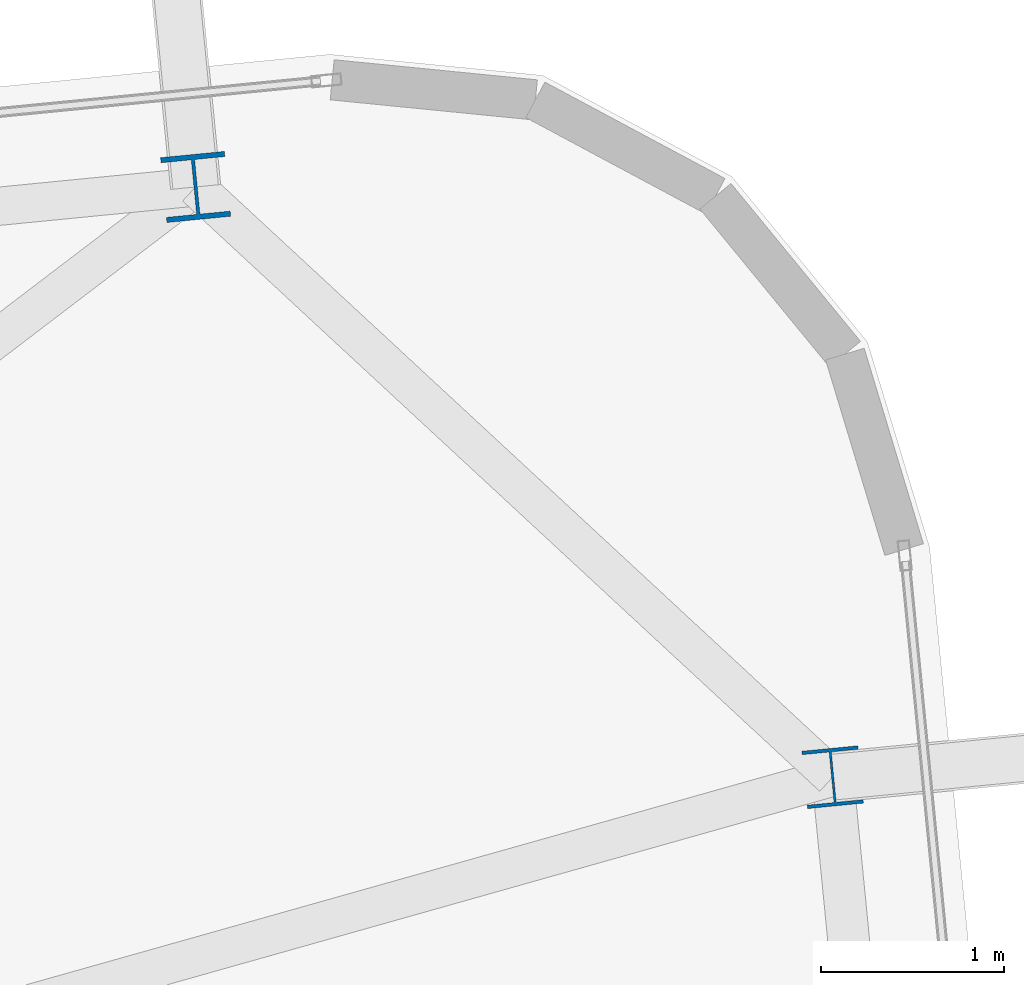
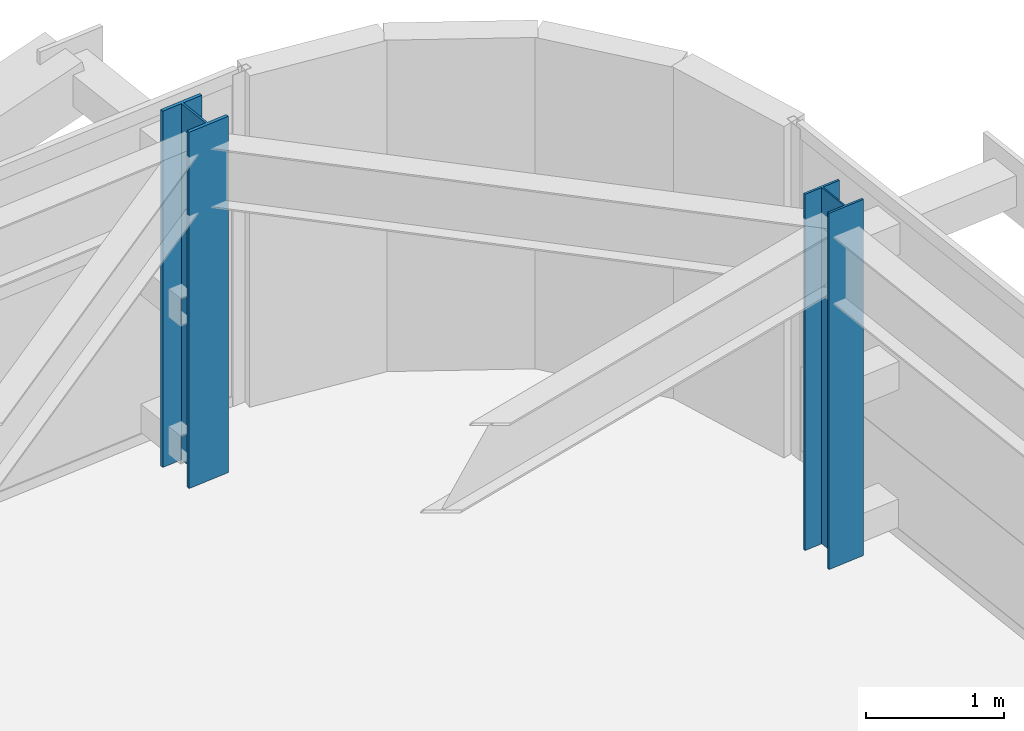
# One storey, part 4 of 52: 2 columns.
"""IFC4 building model written with IfcOpenShell, lengths in metres."""

from ifc_helpers import new_model, si_unit, direction, frame, origin, origin_2d, place, context, subcontext, project, spatial, i_section, extrude, source, transform, mapped, material, material_profile, profile_set, type_object, element, save


model = new_model("IFC4")

# Units and contexts
model_context = context("Model", 3, precision=1e-05, world=origin(), true_north=direction((0.0, 1.0)))
body_context = subcontext(model_context, "Body", "Model", "MODEL_VIEW")
ifc_project = project(units=[si_unit("LENGTHUNIT", "METRE"), si_unit("AREAUNIT", "SQUARE_METRE"), si_unit("VOLUMEUNIT", "CUBIC_METRE"), si_unit("PLANEANGLEUNIT", "RADIAN"), si_unit("MASSUNIT", "GRAM", prefix="KILO")], contexts=[model_context])

# Site, building, storey
site_placement = place(None, origin())
site = spatial("IfcSite", under=ifc_project, at=site_placement, CompositionType="ELEMENT")
building_placement = place(site_placement, origin())
building = spatial("IfcBuilding", under=site, at=building_placement, Name="Taldren Reach Tower", CompositionType="ELEMENT")
storey_placement = place(building_placement, frame((0.0, 0.0, 74.550048828125)))
storey = spatial("IfcBuildingStorey", under=building, at=storey_placement, Name="L22", CompositionType="ELEMENT", Elevation=74.550048828125)

# Columns
ifc_material = material(Name="Steel Gr 350 (350PLUS)", Category="steel")
ifc_material_profile_1 = material_profile(ifc_material, i_section(OverallWidth=0.35009765625, OverallDepth=0.35595703125, WebThickness=0.01806640625, FlangeThickness=0.028076171875, at=origin_2d()), Name="350WC197")
ifc_profile_set_1 = profile_set([ifc_material_profile_1], Name="Steel Gr 350 (350PLUS)")
column_type_1 = type_object("IfcColumnType", Name="COL-WC350", PredefinedType="COLUMN", material=ifc_profile_set_1)
shared_shape_1 = source(origin(), body_context, "Body", "SweptSolid", [
    extrude(i_section(OverallWidth=0.35009765625, OverallDepth=0.35595703125, WebThickness=0.01806640625, FlangeThickness=0.028076171875, at=origin_2d()), origin(), (0.0, 0.0, 1.0), 3.14990234375),
])
column_1_placement = place(storey_placement, frame((59.765869140625, 38.679931640625, 0.0), z_axis=(0.0, 0.0, 1.0), x_axis=(0.995227399982, 0.097582899759, 0.0)))
element("IfcColumn", 1, at=column_1_placement, inside=storey, type_object=column_type_1, Name="Block B2 perimeter column N6 L22", PredefinedType="COLUMN", context=body_context, shape_type="MappedRepresentation", body=[
    mapped(shared_shape_1, transform((0.0, 0.0, 0.0), scale=1.0)),
])
ifc_material_profile_2 = material_profile(ifc_material, i_section(OverallWidth=0.306884765625, OverallDepth=0.31494140625, WebThickness=0.011962890625, FlangeThickness=0.018798828125, at=origin_2d()), Name="310UC118")
ifc_profile_set_2 = profile_set([ifc_material_profile_2], Name="Steel Gr 350 (350PLUS)")
column_type_2 = type_object("IfcColumnType", Name="COL-UC310B", PredefinedType="COLUMN", material=ifc_profile_set_2)
shared_shape_2 = source(origin(), body_context, "Body", "SweptSolid", [
    extrude(i_section(OverallWidth=0.306884765625, OverallDepth=0.31494140625, WebThickness=0.011962890625, FlangeThickness=0.018798828125, at=origin_2d()), origin(), (0.0, 0.0, 1.0), 3.14990234375),
])
column_2_placement = place(storey_placement, frame((63.247314453125, 35.454345703125, 0.0), z_axis=(0.0, 0.0, 1.0), x_axis=(0.995227399982, 0.097582899759, 0.0)))
element("IfcColumn", 2, at=column_2_placement, inside=storey, type_object=column_type_2, Name="Block B2 perimeter column E3 L22", PredefinedType="COLUMN", context=body_context, shape_type="MappedRepresentation", body=[
    mapped(shared_shape_2, transform((0.0, 0.0, 0.0), scale=1.0)),
])

save(model, "model.ifc")
